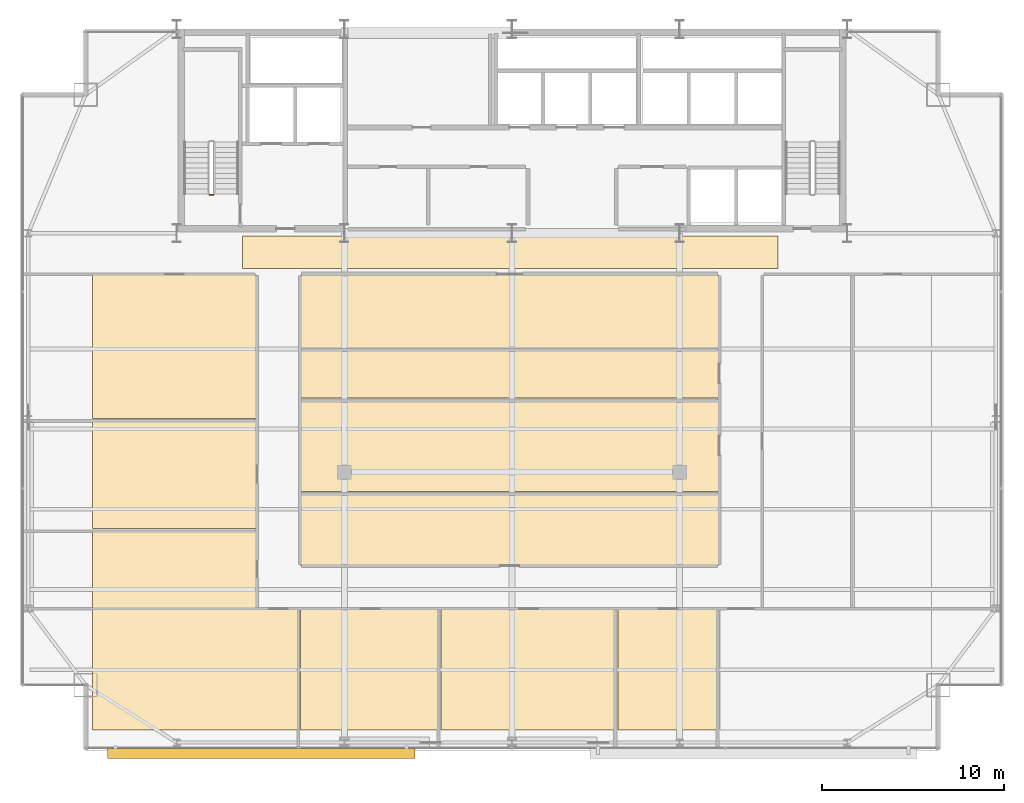
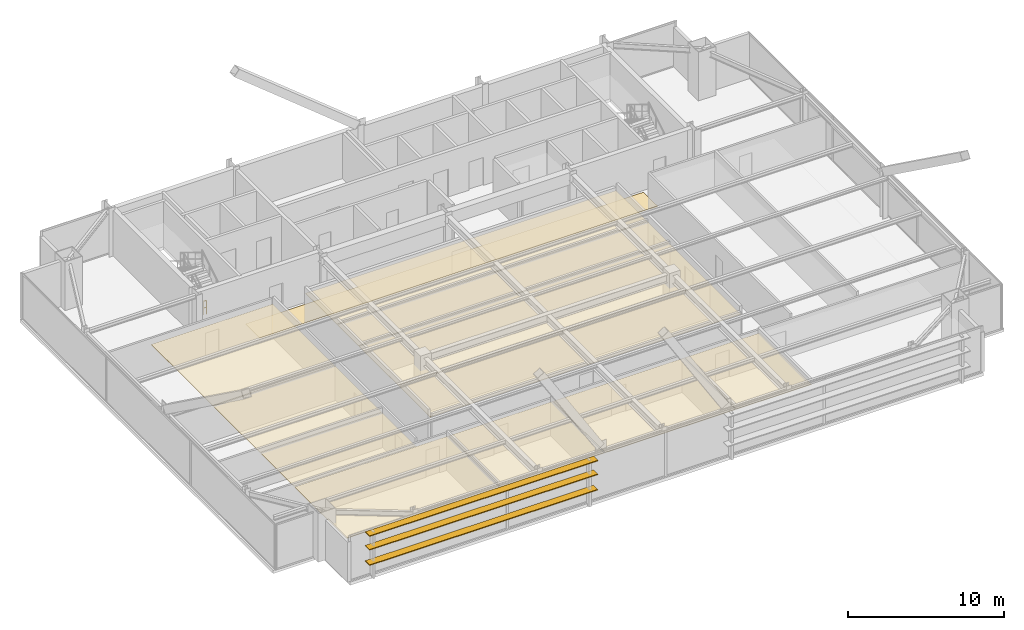
# One storey, part 29 of 30: 12 coverings, 3 shading devices, 1 railing.
"""IFC4 building model written with IfcOpenShell, lengths in metres."""

from ifc_helpers import new_model, si_unit, direction, frame, origin, origin_2d, place, context, subcontext, project, spatial, polyline, rectangle, outline, extrude, source, transform, mapped, material, layer, layer_set, type_object, type_shapes, element, save


model = new_model("IFC4")

# Units and contexts
model_context = context("Model", 3, precision=1e-05, world=origin(), true_north=direction((0.0, 1.0)))
body_context = subcontext(model_context, "Body", "Model", "MODEL_VIEW")
ifc_project = project(units=[si_unit("LENGTHUNIT", "METRE"), si_unit("AREAUNIT", "SQUARE_METRE"), si_unit("VOLUMEUNIT", "CUBIC_METRE"), si_unit("PLANEANGLEUNIT", "RADIAN"), si_unit("MASSUNIT", "GRAM", prefix="KILO")], contexts=[model_context])

# Site, building, storey
site_placement = place(None, origin())
site = spatial("IfcSite", under=ifc_project, at=site_placement, CompositionType="ELEMENT")
building_placement = place(site_placement, origin())
building = spatial("IfcBuilding", under=site, at=building_placement, Name="Varnel Quay Broadcast Tower", CompositionType="ELEMENT")
storey_placement = place(building_placement, frame((0.0, 0.0, 180.0)))
storey = spatial("IfcBuildingStorey", under=building, at=storey_placement, Name="L44", CompositionType="ELEMENT", Elevation=180.0)

# Coverings
ifc_material_1 = material(Name="Micro-Perforated Acoustic Ceiling Tile")
ifc_layer_1 = layer(ifc_material_1, 0.0400390625, Name="Micro-Perforated Acoustic Ceiling Tile")
ifc_layer_set_1 = layer_set([ifc_layer_1], Name="Micro-Perforated Acoustic Ceiling Tile")
covering_type_1 = type_object("IfcCoveringType", Name="Cov_AcousticCeiling", PredefinedType="CEILING", material=ifc_layer_set_1)
covering_1_placement = place(storey_placement, frame((0.0, 0.0, 2.580078125)))
element("IfcCovering", 1, at=covering_1_placement, inside=storey, type_object=covering_type_1, Name="L44 Reading Lounge 1 Acoustic Ceiling", PredefinedType="CEILING", context=body_context, shape_type="SweptSolid", body=[
    extrude(outline(polyline([(10.985107421875, 8.324951171875), (22.324951171875, 8.324951171875), (22.324951171875, 14.955078125), (10.985107421875, 14.955078125), (10.985107421875, 8.324951171875)])), origin(), (0.0, 0.0, 1.0), 0.0400390625),
])
covering_2_placement = place(storey_placement, frame((0.0, 0.0, 2.580078125)))
element("IfcCovering", 2, at=covering_2_placement, inside=storey, type_object=covering_type_1, Name="L44 Broadcast Seminar Room 2 Acoustic Ceiling", PredefinedType="CEILING", context=body_context, shape_type="SweptSolid", body=[
    extrude(outline(polyline([(22.39501953125, 8.324951171875), (30.034912109375, 8.324951171875), (30.034912109375, 14.955078125), (22.39501953125, 14.955078125), (22.39501953125, 8.324951171875)])), origin(), (0.0, 0.0, 1.0), 0.0400390625),
])
covering_3_placement = place(storey_placement, frame((0.0, 0.0, 2.580078125)))
element("IfcCovering", 3, at=covering_3_placement, inside=storey, type_object=covering_type_1, Name="L44 Press Briefing Room 3 Acoustic Ceiling", PredefinedType="CEILING", context=body_context, shape_type="SweptSolid", body=[
    extrude(outline(polyline([(30.10498046875, 8.324951171875), (39.735107421875, 8.324951171875), (39.735107421875, 14.955078125), (30.10498046875, 14.955078125), (30.10498046875, 8.324951171875)])), origin(), (0.0, 0.0, 1.0), 0.0400390625),
])
covering_4_placement = place(storey_placement, frame((0.0, 0.0, 2.580078125)))
element("IfcCovering", 4, at=covering_4_placement, inside=storey, type_object=covering_type_1, Name="L44 Editorial Huddle Room 4 Acoustic Ceiling", PredefinedType="CEILING", context=body_context, shape_type="SweptSolid", body=[
    extrude(outline(polyline([(39.804931640625, 8.324951171875), (45.344970703125, 8.324951171875), (45.344970703125, 14.955078125), (39.804931640625, 14.955078125), (39.804931640625, 8.324951171875)])), origin(), (0.0, 0.0, 1.0), 0.0400390625),
])
covering_5_placement = place(storey_placement, frame((0.0, 0.0, 2.580078125)))
element("IfcCovering", 5, at=covering_5_placement, inside=storey, type_object=covering_type_1, Name="L44 Catering Kitchen 6 Acoustic Ceiling", PredefinedType="CEILING", context=body_context, shape_type="SweptSolid", body=[
    extrude(outline(polyline([(10.985107421875, 15.02490234375), (19.97509765625, 15.02490234375), (19.97509765625, 19.31494140625), (10.985107421875, 19.31494140625), (10.985107421875, 15.02490234375)])), origin(), (0.0, 0.0, 1.0), 0.0400390625),
])
covering_6_placement = place(storey_placement, frame((0.0, 0.0, 2.580078125)))
element("IfcCovering", 6, at=covering_6_placement, inside=storey, type_object=covering_type_1, Name="L44 Bureau Office 7 Acoustic Ceiling", PredefinedType="CEILING", context=body_context, shape_type="SweptSolid", body=[
    extrude(outline(polyline([(10.985107421875, 19.385009765625), (19.97509765625, 19.385009765625), (19.97509765625, 25.364990234375), (10.985107421875, 25.364990234375), (10.985107421875, 19.385009765625)])), origin(), (0.0, 0.0, 1.0), 0.0400390625),
])
covering_7_placement = place(storey_placement, frame((0.0, 0.0, 2.580078125)))
element("IfcCovering", 7, at=covering_7_placement, inside=storey, type_object=covering_type_1, Name="L44 Reading Lounge 8 Acoustic Ceiling", PredefinedType="CEILING", context=body_context, shape_type="SweptSolid", body=[
    extrude(outline(polyline([(10.985107421875, 25.43505859375), (19.97509765625, 25.43505859375), (19.97509765625, 33.31494140625), (10.985107421875, 33.31494140625), (10.985107421875, 25.43505859375)])), origin(), (0.0, 0.0, 1.0), 0.0400390625),
])
covering_8_placement = place(storey_placement, frame((0.0, 0.0, 2.580078125)))
element("IfcCovering", 8, at=covering_8_placement, inside=storey, type_object=covering_type_1, Name="L44 Broadcast Seminar Room 9 Acoustic Ceiling", PredefinedType="CEILING", context=body_context, shape_type="SweptSolid", body=[
    extrude(outline(polyline([(22.39501953125, 17.375), (45.344970703125, 17.375), (45.344970703125, 21.35498046875), (22.39501953125, 21.35498046875), (22.39501953125, 17.375)])), origin(), (0.0, 0.0, 1.0), 0.0400390625),
])
covering_9_placement = place(storey_placement, frame((0.0, 0.0, 2.580078125)))
element("IfcCovering", 9, at=covering_9_placement, inside=storey, type_object=covering_type_1, Name="L44 Press Briefing Room 10 Acoustic Ceiling", PredefinedType="CEILING", context=body_context, shape_type="SweptSolid", body=[
    extrude(outline(polyline([(22.39501953125, 21.425048828125), (45.344970703125, 21.425048828125), (45.344970703125, 26.47509765625), (22.39501953125, 26.47509765625), (22.39501953125, 21.425048828125)])), origin(), (0.0, 0.0, 1.0), 0.0400390625),
])
covering_10_placement = place(storey_placement, frame((0.0, 0.0, 2.580078125)))
element("IfcCovering", 10, at=covering_10_placement, inside=storey, type_object=covering_type_1, Name="L44 Editorial Huddle Room 11 Acoustic Ceiling", PredefinedType="CEILING", context=body_context, shape_type="SweptSolid", body=[
    extrude(outline(polyline([(22.39501953125, 26.544921875), (45.344970703125, 26.544921875), (45.344970703125, 29.2548828125), (22.39501953125, 29.2548828125), (22.39501953125, 26.544921875)])), origin(), (0.0, 0.0, 1.0), 0.0400390625),
])
covering_11_placement = place(storey_placement, frame((0.0, 0.0, 2.580078125)))
element("IfcCovering", 11, at=covering_11_placement, inside=storey, type_object=covering_type_1, Name="L44 Journalism Training Studio 12 Acoustic Ceiling", PredefinedType="CEILING", context=body_context, shape_type="SweptSolid", body=[
    extrude(outline(polyline([(22.39501953125, 29.324951171875), (45.344970703125, 29.324951171875), (45.344970703125, 33.31494140625), (22.39501953125, 33.31494140625), (22.39501953125, 29.324951171875)])), origin(), (0.0, 0.0, 1.0), 0.0400390625),
])
ifc_material_2 = material(Name="Polished Terrazzo & Broadcast Raised Flooring")
ifc_layer_2 = layer(ifc_material_2, 0.0400390625, Name="Polished Terrazzo & Broadcast Raised Flooring")
ifc_layer_set_2 = layer_set([ifc_layer_2], Name="Polished Terrazzo & Broadcast Raised Flooring")
covering_type_2 = type_object("IfcCoveringType", Name="Cov_TerrazzoFloor", PredefinedType="FLOORING", material=ifc_layer_set_2)
covering_12_placement = place(storey_placement, origin())
element("IfcCovering", 12, at=covering_12_placement, inside=storey, type_object=covering_type_2, Name="L44 Corridor Terrazzo Flooring", PredefinedType="FLOORING", context=body_context, shape_type="SweptSolid", body=[
    extrude(outline(polyline([(19.199951171875, 33.64990234375), (48.60009765625, 33.64990234375), (48.60009765625, 35.449951171875), (19.199951171875, 35.449951171875), (19.199951171875, 33.64990234375)])), origin(), (0.0, 0.0, 1.0), 0.0400390625),
])

# Railing
ifc_material_3 = material(Name="Painted Steel Guard and Handrail CSA G40.21 350W", Category="steel")
railing_type = type_object("IfcRailingType", Name="Rail_StairGuard1100", PredefinedType="GUARDRAIL", material=ifc_material_3)
railing_placement = place(storey_placement, frame((17.60009765625, 37.699951171875, 0.0)))
element("IfcRailing", 13, at=railing_placement, inside=storey, type_object=railing_type, Name="L44 ST-01 stair guard 4", PredefinedType="GUARDRAIL", context=body_context, shape_type="SweptSolid", body=[
    extrude(rectangle(XDim=0.048095703125, YDim=0.048095703125, at=origin_2d()), frame((0.0, 0.0, 1.076171875), z_axis=(-1.0, 0.0, 0.0), x_axis=(0.0, -1.0, 0.0)), (0.0, 0.0, 1.0), 0.2001953125),
    extrude(rectangle(XDim=0.048095703125, YDim=0.048095703125, at=origin_2d()), frame((0.0, 0.0, 0.550048828125), z_axis=(-1.0, 0.0, 0.0), x_axis=(0.0, -1.0, 0.0)), (0.0, 0.0, 1.0), 0.2001953125),
    extrude(rectangle(XDim=0.0419921875, YDim=0.0419921875, at=origin_2d()), origin(), (0.0, 0.0, 1.0), 1.052001953125),
    extrude(rectangle(XDim=0.0419921875, YDim=0.0419921875, at=origin_2d()), frame((-0.2001953125, 0.0, 0.0)), (0.0, 0.0, 1.0), 1.052001953125),
])

# Shading devices
ifc_material_4 = material(Name="Bronze-Terracotta Extruded Ceramic Blade", Category="masonry")
ifc_layer_3 = layer(ifc_material_4, 0.06494140625, Name="Bronze-Terracotta Extruded Ceramic Blade")
ifc_layer_set_3 = layer_set([ifc_layer_3], Name="Bronze-Terracotta Extruded Ceramic Blade")
shading_device_type = type_object("IfcShadingDeviceType", Name="Shade_LouvreBlade550", PredefinedType="JALOUSIE", material=ifc_layer_set_3)
shared_shape = source(origin(), body_context, "Body", "SweptSolid", [
    extrude(rectangle(XDim=16.87109375, YDim=0.550048828125, at=origin_2d()), origin(), (0.0, 0.0, 1.0), 0.06494140625),
])
type_shapes(shading_device_type, [shared_shape])
for number, where, z_axis, x_axis, name in (
    (14, (20.236083984375, 7.06005859375, 1.117431640625), (0.0, 0.0, 1.0), (1.0, 0.0, 0.0), "L44 Lobe 1 Horizontal Louvre Blade 1"),
    (15, (20.236083984375, 7.06005859375, 2.317626953125), (0.0, 0.0, 1.0), (1.0, 0.0, 0.0), "L44 Lobe 1 Horizontal Louvre Blade 2"),
    (16, (20.236083984375, 7.06005859375, 3.387451171875), (0.0, 0.0, 1.0), (1.0, 0.0, 0.0), "L44 Lobe 1 Horizontal Louvre Blade 3"),
):
    element("IfcShadingDevice", number, at=place(storey_placement, frame(where, z_axis=z_axis, x_axis=x_axis)), inside=storey, type_object=shading_device_type, Name=name, PredefinedType="JALOUSIE", context=body_context, shape_type="MappedRepresentation", body=[
        mapped(shared_shape, transform((0.0, 0.0, 0.0), x_axis=(1.0, 0.0, 0.0), y_axis=(0.0, 1.0, 0.0), z_axis=(0.0, 0.0, 1.0), scale=1.0)),
    ])

save(model, "model.ifc")
